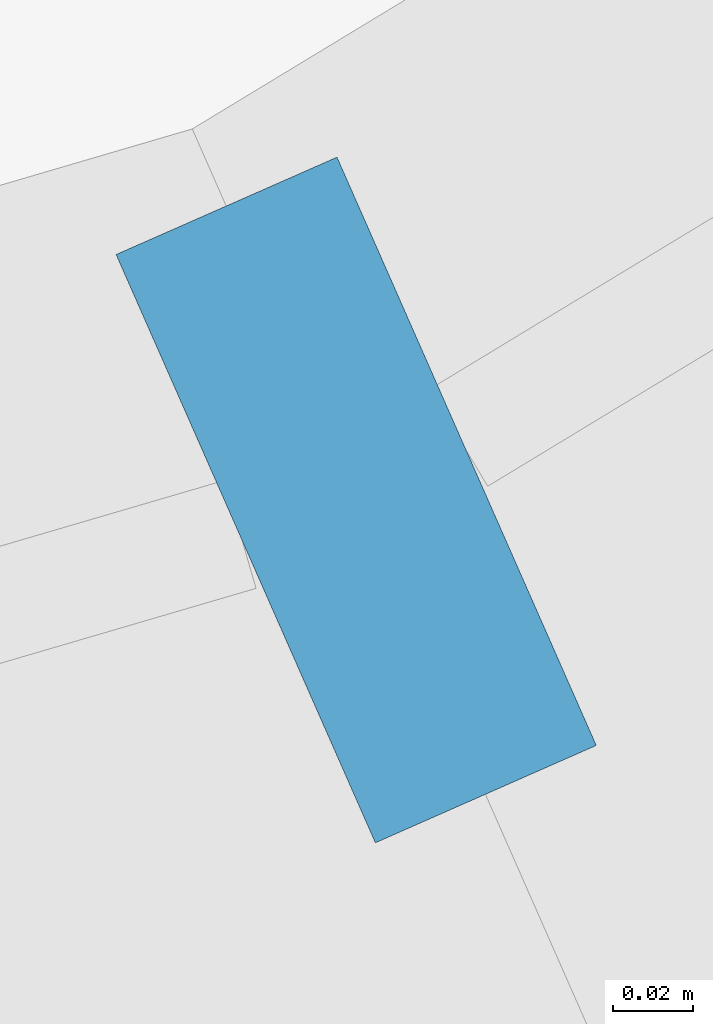
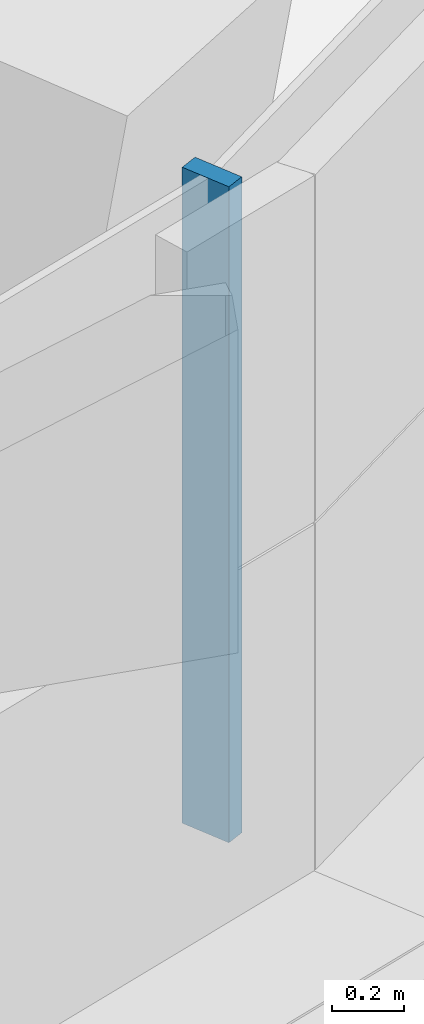
# One storey, part 2 of 35: 1 member, 1 element without a shape of its own.
"""IFC4 building model written with IfcOpenShell, lengths in metres."""

from ifc_helpers import new_model, si_unit, direction, frame, origin, origin_2d, place, context, subcontext, project, spatial, rectangle, extrude, material, layer, layer_set, material_profile, profile_set, type_object, element, aggregate, save


model = new_model("IFC4")

# Units and contexts
model_context = context("Model", 3, precision=1e-05, world=origin(), true_north=direction((0.0, 1.0)))
body_context = subcontext(model_context, "Body", "Model", "MODEL_VIEW")
ifc_project = project(units=[si_unit("LENGTHUNIT", "METRE"), si_unit("AREAUNIT", "SQUARE_METRE"), si_unit("VOLUMEUNIT", "CUBIC_METRE"), si_unit("PLANEANGLEUNIT", "RADIAN"), si_unit("MASSUNIT", "GRAM", prefix="KILO")], contexts=[model_context])

# Site, building, storey
site_placement = place(None, origin())
site = spatial("IfcSite", under=ifc_project, at=site_placement, CompositionType="ELEMENT")
building_placement = place(site_placement, origin())
building = spatial("IfcBuilding", under=site, at=building_placement, Name="Tamarind Cross Interchange Tower", CompositionType="ELEMENT")
storey_placement = place(building_placement, frame((0.0, 0.0, 148.0)))
storey = spatial("IfcBuildingStorey", under=building, at=storey_placement, Name="L36", CompositionType="ELEMENT", Elevation=148.0)

# Curtain wall, member
ifc_material = material(Name="Aluminium 6063-T6", Category="aluminium")
ifc_layer = layer(ifc_material, 0.159912109375)
ifc_layer_set = layer_set([ifc_layer], Name="Aluminium 6063-T6")
curtain_wall_type = type_object("IfcCurtainWallType", Name="Office curtain wall, 9.0 m bays", PredefinedType="NOTDEFINED", material=ifc_layer_set)
curtain_wall_placement = place(storey_placement, origin())
curtain_wall = element("IfcCurtainWall", 1, at=curtain_wall_placement, inside=storey, type_object=curtain_wall_type, Name="CWS-L36-01", PredefinedType="NOTDEFINED")
ifc_material_profile = material_profile(ifc_material, rectangle(XDim=0.06005859375, YDim=0.159912109375, at=origin_2d()), Name="Mullion CW1")
ifc_profile_set = profile_set([ifc_material_profile], Name="Aluminium 6063-T6")
member_type = type_object("IfcMemberType", Name="Mullion CW1", PredefinedType="MULLION", material=ifc_profile_set)
member_placement = place(storey_placement, frame((-40.376220703125, -19.154296875, 1.39990234375), z_axis=(0.0, 0.0, 1.0), x_axis=(0.915063029316, 0.403310863205, 0.0)))
member = element("IfcMember", 2, at=member_placement, type_object=member_type, Name="CWM-L36-01-00", PredefinedType="MULLION", context=body_context, shape_type="SweptSolid", body=[
    extrude(rectangle(XDim=0.06005859375, YDim=0.159912109375, at=origin_2d()), origin(), (0.0, 0.0, 1.0), 2.210205078125),
])
aggregate(curtain_wall, [member])

save(model, "model.ifc")
